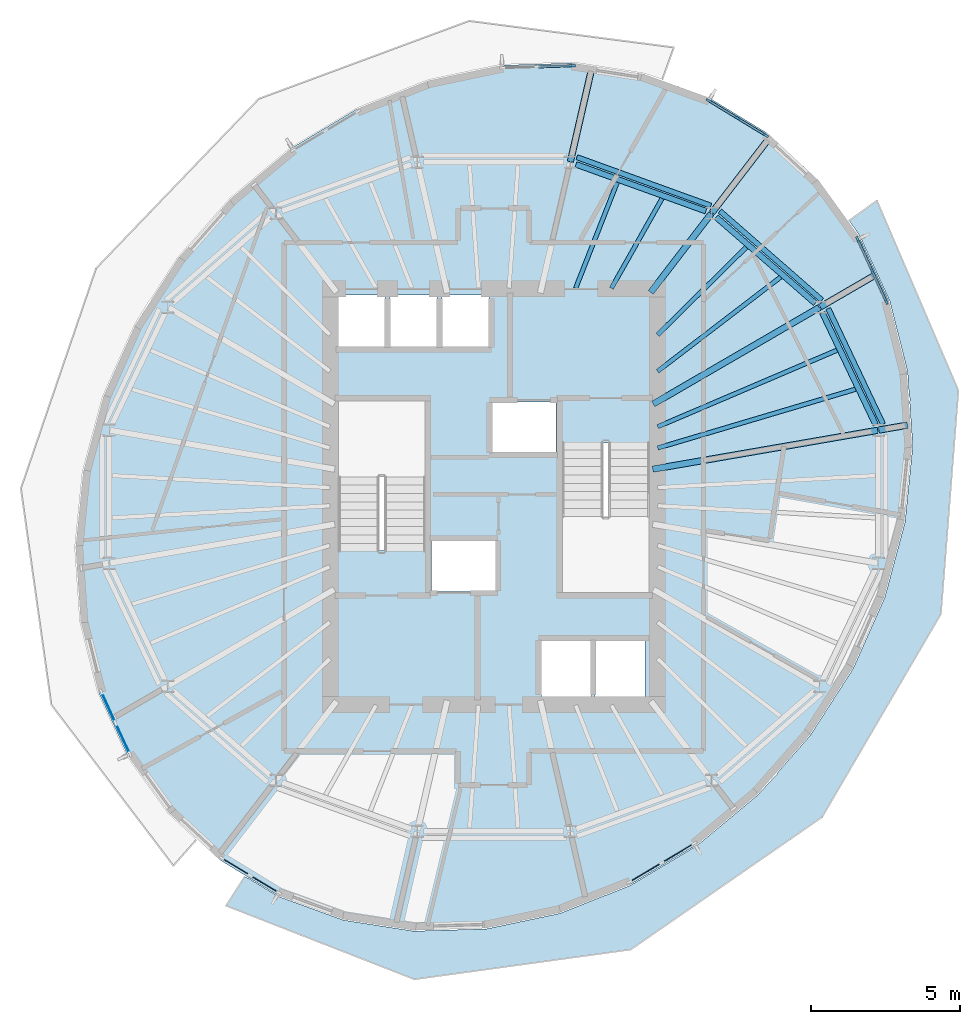
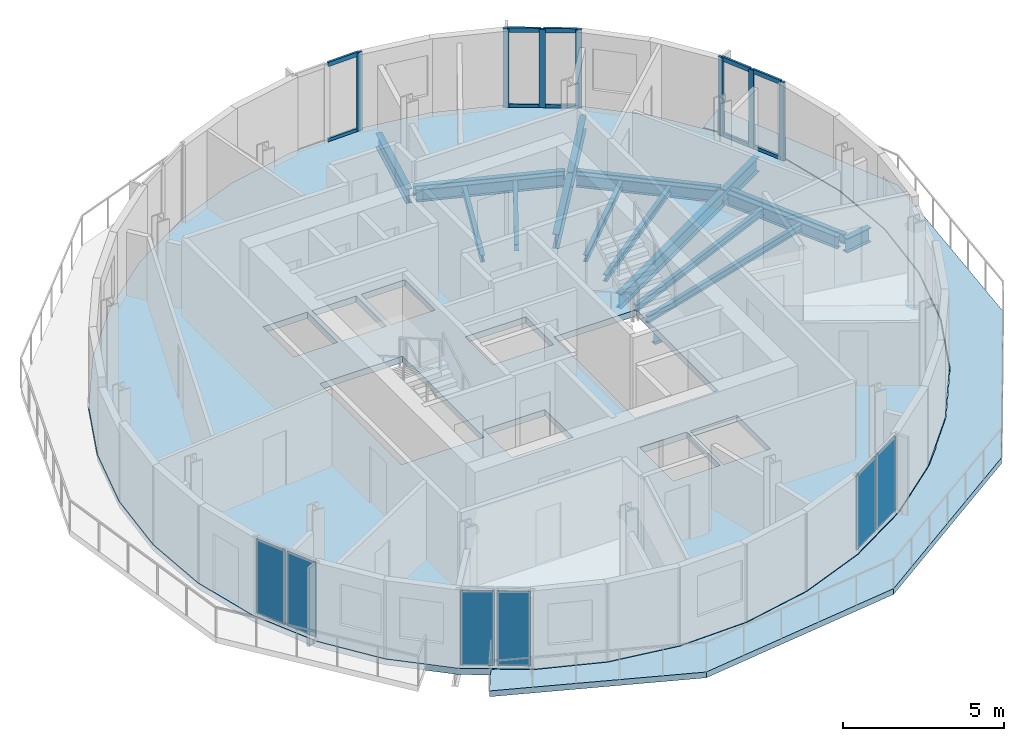
# One storey, part 3 of 11: 19 beams, 17 members, 6 plates, 2 slabs, 6 elements without a shape of their own.
"""IFC4 building model written with IfcOpenShell, lengths in metres."""

from ifc_helpers import new_model, si_unit, direction, frame, origin, origin_2d, place, context, subcontext, project, spatial, polyline, rectangle, i_section, outline, extrude, material, layer, layer_set, material_profile, profile_set, type_object, element, aggregate, save


model = new_model("IFC4")

# Units and contexts
model_context = context("Model", 3, precision=1e-05, world=origin(), true_north=direction((0.0, 1.0)))
body_context = subcontext(model_context, "Body", "Model", "MODEL_VIEW")
ifc_project = project(units=[si_unit("LENGTHUNIT", "METRE"), si_unit("AREAUNIT", "SQUARE_METRE"), si_unit("VOLUMEUNIT", "CUBIC_METRE"), si_unit("PLANEANGLEUNIT", "RADIAN"), si_unit("MASSUNIT", "GRAM", prefix="KILO")], contexts=[model_context])

# Site, building, storey
site_placement = place(None, origin())
site = spatial("IfcSite", under=ifc_project, at=site_placement, CompositionType="ELEMENT")
building_placement = place(site_placement, origin())
building = spatial("IfcBuilding", under=site, at=building_placement, Name="Veldorim Arch Residences", CompositionType="ELEMENT")
storey_placement = place(building_placement, frame((0.0, 0.0, 214.239990234375)))
storey = spatial("IfcBuildingStorey", under=building, at=storey_placement, Name="L64", CompositionType="ELEMENT", Elevation=214.239990234375)

# Beams
ifc_material_1 = material(Name="Steel S355", Category="steel")
ifc_material_profile_1 = material_profile(ifc_material_1, i_section(OverallWidth=0.2119140625, OverallDepth=0.54443359375, WebThickness=0.0126953125, FlangeThickness=0.021240234375, at=origin_2d()), Name="UB533x210x122")
ifc_profile_set_1 = profile_set([ifc_material_profile_1], Name="Steel S355")
beam_type_1 = type_object("IfcBeamType", Name="Structural Steel Beam UB533x210x122", PredefinedType="BEAM", material=ifc_profile_set_1)
beam_1_placement = place(storey_placement, frame((37.352294921875, 24.92578125, -0.51220703125), z_axis=(0.985364974081, 0.170457818401, 0.0), x_axis=(-0.170457818401, 0.985364974081, 0.0)))
element("IfcBeam", 1, at=beam_1_placement, inside=storey, type_object=beam_type_1, Name="L64 radial floor girder 01", PredefinedType="BEAM", context=body_context, shape_type="SweptSolid", body=[
    extrude(i_section(OverallWidth=0.2119140625, OverallDepth=0.54443359375, WebThickness=0.0126953125, FlangeThickness=0.021240234375, at=origin_2d()), origin(), (0.0, 0.0, 1.0), 7.68701171875),
])
beam_2_placement = place(storey_placement, frame((44.966064453125, 26.242919921875, -0.51220703125), z_axis=(0.985356152623, 0.170508804723, 0.0), x_axis=(-0.170508804723, 0.985356152623, 0.0)))
element("IfcBeam", 2, at=beam_2_placement, inside=storey, type_object=beam_type_1, Name="L64 radial edge cantilever girder 01", PredefinedType="BEAM", context=body_context, shape_type="SweptSolid", body=[
    extrude(i_section(OverallWidth=0.2119140625, OverallDepth=0.54443359375, WebThickness=0.0126953125, FlangeThickness=0.021240234375, at=origin_2d()), origin(), (0.0, 0.0, 1.0), 0.97802734375),
])
beam_3_placement = place(storey_placement, frame((37.370361328125, 27.12060546875, -0.51220703125), z_axis=(0.864595736304, 0.502468121142, 0.0), x_axis=(-0.502468121142, 0.864595736304, 0.0)))
element("IfcBeam", 3, at=beam_3_placement, inside=storey, type_object=beam_type_1, Name="L64 radial floor girder 02", PredefinedType="BEAM", context=body_context, shape_type="SweptSolid", body=[
    extrude(i_section(OverallWidth=0.2119140625, OverallDepth=0.54443359375, WebThickness=0.0126953125, FlangeThickness=0.021240234375, at=origin_2d()), origin(), (0.0, 0.0, 1.0), 6.462646484375),
])
beam_4_placement = place(storey_placement, frame((42.99267578125, 30.387939453125, -0.51220703125), z_axis=(0.864602636906, 0.502456247105, 0.0), x_axis=(-0.502456247105, 0.864602636906, 0.0)))
element("IfcBeam", 4, at=beam_4_placement, inside=storey, type_object=beam_type_1, Name="L64 radial edge cantilever girder 02", PredefinedType="BEAM", context=body_context, shape_type="SweptSolid", body=[
    extrude(i_section(OverallWidth=0.2119140625, OverallDepth=0.54443359375, WebThickness=0.0126953125, FlangeThickness=0.021240234375, at=origin_2d()), origin(), (0.0, 0.0, 1.0), 2.09326171875),
])
beam_5_placement = place(storey_placement, frame((37.28662109375, 30.881103515625, -0.51220703125), z_axis=(0.609258442308, 0.792971721108, 0.0), x_axis=(-0.792971721108, 0.609258442308, 0.0)))
element("IfcBeam", 5, at=beam_5_placement, inside=storey, type_object=beam_type_1, Name="L64 radial floor girder 03", PredefinedType="BEAM", context=body_context, shape_type="SweptSolid", body=[
    extrude(i_section(OverallWidth=0.2119140625, OverallDepth=0.54443359375, WebThickness=0.0126953125, FlangeThickness=0.021240234375, at=origin_2d()), origin(), (0.0, 0.0, 1.0), 3.339599609375),
])
beam_6_placement = place(storey_placement, frame((39.345703125, 33.561279296875, -0.51220703125), z_axis=(0.609220133564, 0.793001153126, 0.0), x_axis=(-0.793001153126, 0.609220133564, 0.0)))
element("IfcBeam", 6, at=beam_6_placement, inside=storey, type_object=beam_type_1, Name="L64 radial edge cantilever girder 03", PredefinedType="BEAM", context=body_context, shape_type="SweptSolid", body=[
    extrude(i_section(OverallWidth=0.2119140625, OverallDepth=0.54443359375, WebThickness=0.0126953125, FlangeThickness=0.021240234375, at=origin_2d()), origin(), (0.0, 0.0, 1.0), 3.151123046875),
])
beam_7_placement = place(storey_placement, frame((34.57958984375, 35.27880859375, -0.51220703125), z_axis=(0.22295712551, 0.974828251634, 0.0), x_axis=(-0.974828251634, 0.22295712551, 0.0)))
element("IfcBeam", 7, at=beam_7_placement, inside=storey, type_object=beam_type_1, Name="L64 radial edge cantilever girder 04", PredefinedType="BEAM", context=body_context, shape_type="SweptSolid", body=[
    extrude(i_section(OverallWidth=0.2119140625, OverallDepth=0.54443359375, WebThickness=0.0126953125, FlangeThickness=0.021240234375, at=origin_2d()), origin(), (0.0, 0.0, 1.0), 3.206298828125),
])
ifc_material_2 = material(Name="Steel S355", Category="steel")
ifc_material_profile_2 = material_profile(ifc_material_2, i_section(OverallWidth=0.146484375, OverallDepth=0.256103515625, WebThickness=0.00634765625, FlangeThickness=0.010986328125, at=origin_2d()), Name="UB254x146x37")
ifc_profile_set_2 = profile_set([ifc_material_profile_2], Name="Steel S355")
beam_type_2 = type_object("IfcBeamType", Name="Structural Steel Joist UB254x146x37", PredefinedType="JOIST", material=ifc_profile_set_2)
beam_8_placement = place(storey_placement, frame((37.519287109375, 25.639404296875, -0.367919921875), z_axis=(0.958594432792, 0.284774846889, 0.0), x_axis=(-0.284774846889, 0.958594432792, 0.0)))
element("IfcBeam", 8, at=beam_8_placement, inside=storey, type_object=beam_type_2, Name="L64 secondary radial floor joist 01-1", PredefinedType="JOIST", context=body_context, shape_type="SweptSolid", body=[
    extrude(i_section(OverallWidth=0.146484375, OverallDepth=0.256103515625, WebThickness=0.00634765625, FlangeThickness=0.010986328125, at=origin_2d()), origin(), (0.0, 0.0, 1.0), 6.949462890625),
])
beam_9_placement = place(storey_placement, frame((37.518310546875, 26.355712890625, -0.367919921875), z_axis=(0.919725161652, 0.392562895629, 0.0), x_axis=(-0.392562895629, 0.919725161652, 0.0)))
element("IfcBeam", 9, at=beam_9_placement, inside=storey, type_object=beam_type_2, Name="L64 secondary radial floor joist 01-2", PredefinedType="JOIST", context=body_context, shape_type="SweptSolid", body=[
    extrude(i_section(OverallWidth=0.146484375, OverallDepth=0.256103515625, WebThickness=0.00634765625, FlangeThickness=0.010986328125, at=origin_2d()), origin(), (0.0, 0.0, 1.0), 6.5625),
])
beam_10_placement = place(storey_placement, frame((37.515869140625, 28.222900390625, -0.367919921875), z_axis=(0.794013672216, 0.607899899929, 0.0), x_axis=(-0.607899899929, 0.794013672216, 0.0)))
element("IfcBeam", 10, at=beam_10_placement, inside=storey, type_object=beam_type_2, Name="L64 secondary radial floor joist 02-1", PredefinedType="JOIST", context=body_context, shape_type="SweptSolid", body=[
    extrude(i_section(OverallWidth=0.146484375, OverallDepth=0.256103515625, WebThickness=0.00634765625, FlangeThickness=0.010986328125, at=origin_2d()), origin(), (0.0, 0.0, 1.0), 5.217041015625),
])
beam_11_placement = place(storey_placement, frame((37.51416015625, 29.44775390625, -0.367919921875), z_axis=(0.711396725432, 0.702790650937, 0.0), x_axis=(-0.702790650937, 0.711396725432, 0.0)))
element("IfcBeam", 11, at=beam_11_placement, inside=storey, type_object=beam_type_2, Name="L64 secondary radial floor joist 02-2", PredefinedType="JOIST", context=body_context, shape_type="SweptSolid", body=[
    extrude(i_section(OverallWidth=0.146484375, OverallDepth=0.256103515625, WebThickness=0.00634765625, FlangeThickness=0.010986328125, at=origin_2d()), origin(), (0.0, 0.0, 1.0), 4.198486328125),
])
beam_12_placement = place(storey_placement, frame((35.960205078125, 31.017333984375, -0.367919921875), z_axis=(0.491452469585, 0.870904397818, 0.0), x_axis=(-0.870904397818, 0.491452469585, 0.0)))
element("IfcBeam", 12, at=beam_12_placement, inside=storey, type_object=beam_type_2, Name="L64 secondary radial floor joist 03-1", PredefinedType="JOIST", context=body_context, shape_type="SweptSolid", body=[
    extrude(i_section(OverallWidth=0.146484375, OverallDepth=0.256103515625, WebThickness=0.00634765625, FlangeThickness=0.010986328125, at=origin_2d()), origin(), (0.0, 0.0, 1.0), 3.472412109375),
])
beam_13_placement = place(storey_placement, frame((34.75634765625, 31.0185546875, -0.367919921875), z_axis=(0.365581383042, 0.930779379001, 0.0), x_axis=(-0.930779379001, 0.365581383042, 0.0)))
element("IfcBeam", 13, at=beam_13_placement, inside=storey, type_object=beam_type_2, Name="L64 secondary radial floor joist 03-2", PredefinedType="JOIST", context=body_context, shape_type="SweptSolid", body=[
    extrude(i_section(OverallWidth=0.146484375, OverallDepth=0.256103515625, WebThickness=0.00634765625, FlangeThickness=0.010986328125, at=origin_2d()), origin(), (0.0, 0.0, 1.0), 3.83056640625),
])
ifc_material_3 = material(Name="Steel S355", Category="steel")
ifc_material_profile_3 = material_profile(ifc_material_3, i_section(OverallWidth=0.172119140625, OverallDepth=0.35791015625, WebThickness=0.008056640625, FlangeThickness=0.012939453125, at=origin_2d()), Name="UB356x171x57")
ifc_profile_set_3 = profile_set([ifc_material_profile_3], Name="Steel S355")
beam_type_3 = type_object("IfcBeamType", Name="Structural Steel Spandrel UB356x171x57", PredefinedType="SPANDREL", material=ifc_profile_set_3)
beam_14_placement = place(storey_placement, frame((45.106201171875, 26.4423828125, -0.43896484375), z_axis=(-0.428468601304, 0.903556670994, 0.0), x_axis=(-0.903556670994, -0.428468601304, 0.0)))
element("IfcBeam", 14, at=beam_14_placement, inside=storey, type_object=beam_type_3, Name="L64 perimeter chord spandrel beam 01", PredefinedType="SPANDREL", context=body_context, shape_type="SweptSolid", body=[
    extrude(i_section(OverallWidth=0.172119140625, OverallDepth=0.35791015625, WebThickness=0.008056640625, FlangeThickness=0.012939453125, at=origin_2d()), origin(), (0.0, 0.0, 1.0), 4.31005859375),
])
beam_15_placement = place(storey_placement, frame((43.048095703125, 30.6162109375, -0.43896484375), z_axis=(-0.752868439096, 0.658171036596, 0.0), x_axis=(-0.658171036596, -0.752868439096, 0.0)))
element("IfcBeam", 15, at=beam_15_placement, inside=storey, type_object=beam_type_3, Name="L64 perimeter chord spandrel beam 02", PredefinedType="SPANDREL", context=body_context, shape_type="SweptSolid", body=[
    extrude(i_section(OverallWidth=0.172119140625, OverallDepth=0.35791015625, WebThickness=0.008056640625, FlangeThickness=0.012939453125, at=origin_2d()), origin(), (0.0, 0.0, 1.0), 4.560791015625),
])
beam_16_placement = place(storey_placement, frame((39.311279296875, 33.796630859375, -0.43896484375), z_axis=(-0.940178823137, 0.340681347486, 0.0), x_axis=(-0.340681347486, -0.940178823137, 0.0)))
element("IfcBeam", 16, at=beam_16_placement, inside=storey, type_object=beam_type_3, Name="L64 perimeter chord spandrel beam 03", PredefinedType="SPANDREL", context=body_context, shape_type="SweptSolid", body=[
    extrude(i_section(OverallWidth=0.172119140625, OverallDepth=0.35791015625, WebThickness=0.008056640625, FlangeThickness=0.012939453125, at=origin_2d()), origin(), (0.0, 0.0, 1.0), 4.80126953125),
])
ifc_material_4 = material(Name="Steel S355", Category="steel")
ifc_material_profile_4 = material_profile(ifc_material_4, i_section(OverallWidth=0.19140625, OverallDepth=0.4599609375, WebThickness=0.010009765625, FlangeThickness=0.01611328125, at=origin_2d()), Name="UB457x191x82")
ifc_profile_set_4 = profile_set([ifc_material_profile_4], Name="Steel S355")
beam_type_4 = type_object("IfcBeamType", Name="Structural Steel Spandrel UB457x191x82", PredefinedType="SPANDREL", material=ifc_profile_set_4)
beam_17_placement = place(storey_placement, frame((44.85888671875, 26.42333984375, -0.469970703125), z_axis=(-0.429992574394, 0.902832424078, 0.0), x_axis=(-0.902832424078, -0.429992574394, 0.0)))
element("IfcBeam", 17, at=beam_17_placement, inside=storey, type_object=beam_type_4, Name="L64 perimeter ring tie beam 01", PredefinedType="SPANDREL", context=body_context, shape_type="SweptSolid", body=[
    extrude(i_section(OverallWidth=0.19140625, OverallDepth=0.4599609375, WebThickness=0.010009765625, FlangeThickness=0.01611328125, at=origin_2d()), origin(), (0.0, 0.0, 1.0), 4.176513671875),
])
beam_18_placement = place(storey_placement, frame((42.82177734375, 30.511474609375, -0.469970703125), z_axis=(-0.754534162517, 0.656260769508, 0.0), x_axis=(-0.656260769508, -0.754534162517, 0.0)))
element("IfcBeam", 18, at=beam_18_placement, inside=storey, type_object=beam_type_4, Name="L64 perimeter ring tie beam 02", PredefinedType="SPANDREL", context=body_context, shape_type="SweptSolid", body=[
    extrude(i_section(OverallWidth=0.19140625, OverallDepth=0.4599609375, WebThickness=0.010009765625, FlangeThickness=0.01611328125, at=origin_2d()), origin(), (0.0, 0.0, 1.0), 4.419677734375),
])
beam_19_placement = place(storey_placement, frame((39.14208984375, 33.6142578125, -0.469970703125), z_axis=(-0.940819134121, 0.338909068736, 0.0), x_axis=(-0.338909068736, -0.940819134121, 0.0)))
element("IfcBeam", 19, at=beam_19_placement, inside=storey, type_object=beam_type_4, Name="L64 perimeter ring tie beam 03", PredefinedType="SPANDREL", context=body_context, shape_type="SweptSolid", body=[
    extrude(i_section(OverallWidth=0.19140625, OverallDepth=0.4599609375, WebThickness=0.010009765625, FlangeThickness=0.01611328125, at=origin_2d()), origin(), (0.0, 0.0, 1.0), 4.650634765625),
])

# Curtain wall, members
ifc_material_5 = material(Name="Aluminium", Category="aluminium")
curtain_wall_type = type_object("IfcCurtainWallType", Name="Zone 4 High-Altitude Unitised Curtain Wall", PredefinedType="NOTDEFINED", material=ifc_material_5)
curtain_wall_1_placement = place(storey_placement, origin())
curtain_wall_1 = element("IfcCurtainWall", 20, at=curtain_wall_1_placement, inside=storey, type_object=curtain_wall_type, Name="L64 unitised curtain wall bay 01", PredefinedType="NOTDEFINED")
ifc_material_6 = material(Name="Aluminium", Category="aluminium")
ifc_material_profile_5 = material_profile(ifc_material_6, rectangle(XDim=0.074951171875, YDim=0.195068359375, at=origin_2d()), Name="ALU_MUL_75x195")
ifc_profile_set_5 = profile_set([ifc_material_profile_5], Name="Aluminium")
member_type_1 = type_object("IfcMemberType", Name="Zone 4 High-Altitude Unitised Curtain Wall Mullion 75x195", PredefinedType="MULLION", material=ifc_profile_set_5)
member_1_placement = place(storey_placement, frame((39.236572265625, 37.334716796875, 0.0), z_axis=(0.0, 0.0, 1.0), x_axis=(0.520032918989, 0.854146218846, 0.0)))
member_1 = element("IfcMember", 21, at=member_1_placement, type_object=member_type_1, Name="CW-Z4 mullion 1", PredefinedType="MULLION", context=body_context, shape_type="SweptSolid", body=[
    extrude(rectangle(XDim=0.074951171875, YDim=0.195068359375, at=origin_2d()), origin(), (0.0, 0.0, 1.0), 2.9599609375),
])
member_2_placement = place(storey_placement, frame((40.197265625, 36.749755859375, 0.0), z_axis=(0.0, 0.0, 1.0), x_axis=(0.520032918989, 0.854146218846, 0.0)))
member_2 = element("IfcMember", 22, at=member_2_placement, type_object=member_type_1, Name="CW-Z4 mullion 2", PredefinedType="MULLION", context=body_context, shape_type="SweptSolid", body=[
    extrude(rectangle(XDim=0.074951171875, YDim=0.195068359375, at=origin_2d()), origin(), (0.0, 0.0, 1.0), 2.9599609375),
])
member_3_placement = place(storey_placement, frame((41.157958984375, 36.164794921875, 0.0), z_axis=(0.0, 0.0, 1.0), x_axis=(0.520032918989, 0.854146218846, 0.0)))
member_3 = element("IfcMember", 23, at=member_3_placement, type_object=member_type_1, Name="CW-Z4 mullion 3", PredefinedType="MULLION", context=body_context, shape_type="SweptSolid", body=[
    extrude(rectangle(XDim=0.074951171875, YDim=0.195068359375, at=origin_2d()), origin(), (0.0, 0.0, 1.0), 2.9599609375),
])

# Curtain wall, member
curtain_wall_2_placement = place(storey_placement, origin())
curtain_wall_2 = element("IfcCurtainWall", 24, at=curtain_wall_2_placement, inside=storey, type_object=curtain_wall_type, Name="L64 unitised curtain wall bay 04", PredefinedType="NOTDEFINED")
member_4_placement = place(storey_placement, frame((34.6513671875, 38.509033203125, 0.0), z_axis=(0.0, 0.0, 1.0), x_axis=(-0.030834608084, 0.999524500422, 0.0)))
member_4 = element("IfcMember", 25, at=member_4_placement, type_object=member_type_1, Name="CW-Z4 mullion 3", PredefinedType="MULLION", context=body_context, shape_type="SweptSolid", body=[
    extrude(rectangle(XDim=0.074951171875, YDim=0.195068359375, at=origin_2d()), origin(), (0.0, 0.0, 1.0), 2.9599609375),
])

# Curtain wall, members
curtain_wall_3_placement = place(storey_placement, origin())
curtain_wall_3 = element("IfcCurtainWall", 26, at=curtain_wall_3_placement, inside=storey, type_object=curtain_wall_type, Name="L64 unitised curtain wall bay 34", PredefinedType="NOTDEFINED")
member_5_placement = place(storey_placement, frame((44.248291015625, 32.666748046875, 0.0), z_axis=(0.0, 0.0, 1.0), x_axis=(0.908400123828, 0.418101919427, 0.0)))
member_5 = element("IfcMember", 27, at=member_5_placement, type_object=member_type_1, Name="CW-Z4 mullion 1", PredefinedType="MULLION", context=body_context, shape_type="SweptSolid", body=[
    extrude(rectangle(XDim=0.074951171875, YDim=0.195068359375, at=origin_2d()), origin(), (0.0, 0.0, 1.0), 2.9599609375),
])
member_6_placement = place(storey_placement, frame((44.731689453125, 31.6162109375, 0.0), z_axis=(0.0, 0.0, 1.0), x_axis=(0.908400123828, 0.418101919427, 0.0)))
member_6 = element("IfcMember", 28, at=member_6_placement, type_object=member_type_1, Name="CW-Z4 mullion 2", PredefinedType="MULLION", context=body_context, shape_type="SweptSolid", body=[
    extrude(rectangle(XDim=0.074951171875, YDim=0.195068359375, at=origin_2d()), origin(), (0.0, 0.0, 1.0), 2.9599609375),
])
member_7_placement = place(storey_placement, frame((45.21533203125, 30.565673828125, 0.0), z_axis=(0.0, 0.0, 1.0), x_axis=(0.908400123828, 0.418101919427, 0.0)))
member_7 = element("IfcMember", 29, at=member_7_placement, type_object=member_type_1, Name="CW-Z4 mullion 3", PredefinedType="MULLION", context=body_context, shape_type="SweptSolid", body=[
    extrude(rectangle(XDim=0.074951171875, YDim=0.195068359375, at=origin_2d()), origin(), (0.0, 0.0, 1.0), 2.9599609375),
])

# Member
ifc_material_7 = material(Name="Aluminium", Category="aluminium")
ifc_material_profile_6 = material_profile(ifc_material_7, rectangle(XDim=0.074951171875, YDim=0.1650390625, at=origin_2d()), Name="ALU_TRN_75x165")
ifc_profile_set_6 = profile_set([ifc_material_profile_6], Name="Aluminium")
member_type_2 = type_object("IfcMemberType", Name="Zone 4 High-Altitude Unitised Curtain Wall Transom 75x165", PredefinedType="USERDEFINED", material=ifc_profile_set_6)
member_8_placement = place(storey_placement, frame((39.2685546875, 37.315185546875, 0.03759765625), z_axis=(0.854171610256, -0.519991211688, 0.0), x_axis=(0.519991211688, 0.854171610256, 0.0)))
member_8 = element("IfcMember", 30, at=member_8_placement, type_object=member_type_2, Name="CW-Z4 transom 1.1", ObjectType="TRANSOM", PredefinedType="USERDEFINED", context=body_context, shape_type="SweptSolid", body=[
    extrude(rectangle(XDim=0.074951171875, YDim=0.1650390625, at=origin_2d()), origin(), (0.0, 0.0, 1.0), 1.0498046875),
])

member_9_placement = place(storey_placement, frame((39.2685546875, 37.315185546875, 2.922607421875), z_axis=(0.854171610256, -0.519991211688, 0.0), x_axis=(0.519991211688, 0.854171610256, 0.0)))
member_9 = element("IfcMember", 31, at=member_9_placement, type_object=member_type_2, Name="CW-Z4 transom 1.2", ObjectType="TRANSOM", PredefinedType="USERDEFINED", context=body_context, shape_type="SweptSolid", body=[
    extrude(rectangle(XDim=0.074951171875, YDim=0.1650390625, at=origin_2d()), origin(), (0.0, 0.0, 1.0), 1.0498046875),
])

member_10_placement = place(storey_placement, frame((40.229248046875, 36.730224609375, 0.03759765625), z_axis=(0.854171610256, -0.519991211688, 0.0), x_axis=(0.519991211688, 0.854171610256, 0.0)))
member_10 = element("IfcMember", 32, at=member_10_placement, type_object=member_type_2, Name="CW-Z4 transom 2.1", ObjectType="TRANSOM", PredefinedType="USERDEFINED", context=body_context, shape_type="SweptSolid", body=[
    extrude(rectangle(XDim=0.074951171875, YDim=0.1650390625, at=origin_2d()), origin(), (0.0, 0.0, 1.0), 1.0498046875),
])

member_11_placement = place(storey_placement, frame((40.229248046875, 36.730224609375, 2.922607421875), z_axis=(0.854171610256, -0.519991211688, 0.0), x_axis=(0.519991211688, 0.854171610256, 0.0)))
member_11 = element("IfcMember", 33, at=member_11_placement, type_object=member_type_2, Name="CW-Z4 transom 2.2", ObjectType="TRANSOM", PredefinedType="USERDEFINED", context=body_context, shape_type="SweptSolid", body=[
    extrude(rectangle(XDim=0.074951171875, YDim=0.1650390625, at=origin_2d()), origin(), (0.0, 0.0, 1.0), 1.0498046875),
])

aggregate(curtain_wall_1, [member_1, member_2, member_3, member_8, member_9, member_10, member_11])

member_12_placement = place(storey_placement, frame((33.505859375, 38.473876953125, 0.03759765625), z_axis=(0.999524669181, 0.030829137186, 0.0), x_axis=(-0.030829137186, 0.999524669181, 0.0)))
member_12 = element("IfcMember", 34, at=member_12_placement, type_object=member_type_2, Name="CW-Z4 transom 2.1", ObjectType="TRANSOM", PredefinedType="USERDEFINED", context=body_context, shape_type="SweptSolid", body=[
    extrude(rectangle(XDim=0.074951171875, YDim=0.1650390625, at=origin_2d()), origin(), (0.0, 0.0, 1.0), 1.108642578125),
])

member_13_placement = place(storey_placement, frame((33.505859375, 38.473876953125, 2.922607421875), z_axis=(0.999524669181, 0.030829137186, 0.0), x_axis=(-0.030829137186, 0.999524669181, 0.0)))
member_13 = element("IfcMember", 35, at=member_13_placement, type_object=member_type_2, Name="CW-Z4 transom 2.2", ObjectType="TRANSOM", PredefinedType="USERDEFINED", context=body_context, shape_type="SweptSolid", body=[
    extrude(rectangle(XDim=0.074951171875, YDim=0.1650390625, at=origin_2d()), origin(), (0.0, 0.0, 1.0), 1.108642578125),
])

aggregate(curtain_wall_2, [member_4, member_12, member_13])

member_14_placement = place(storey_placement, frame((44.263916015625, 32.632568359375, 0.03759765625), z_axis=(0.418084469108, -0.908408155341, 0.0), x_axis=(0.908408155341, 0.418084469108, 0.0)))
member_14 = element("IfcMember", 36, at=member_14_placement, type_object=member_type_2, Name="CW-Z4 transom 1.1", ObjectType="TRANSOM", PredefinedType="USERDEFINED", context=body_context, shape_type="SweptSolid", body=[
    extrude(rectangle(XDim=0.074951171875, YDim=0.1650390625, at=origin_2d()), origin(), (0.0, 0.0, 1.0), 1.08154296875),
])

member_15_placement = place(storey_placement, frame((44.263916015625, 32.632568359375, 2.922607421875), z_axis=(0.418084469108, -0.908408155341, 0.0), x_axis=(0.908408155341, 0.418084469108, 0.0)))
member_15 = element("IfcMember", 37, at=member_15_placement, type_object=member_type_2, Name="CW-Z4 transom 1.2", ObjectType="TRANSOM", PredefinedType="USERDEFINED", context=body_context, shape_type="SweptSolid", body=[
    extrude(rectangle(XDim=0.074951171875, YDim=0.1650390625, at=origin_2d()), origin(), (0.0, 0.0, 1.0), 1.08154296875),
])

member_16_placement = place(storey_placement, frame((44.747314453125, 31.58203125, 0.03759765625), z_axis=(0.418084469108, -0.908408155341, 0.0), x_axis=(0.908408155341, 0.418084469108, 0.0)))
member_16 = element("IfcMember", 38, at=member_16_placement, type_object=member_type_2, Name="CW-Z4 transom 2.1", ObjectType="TRANSOM", PredefinedType="USERDEFINED", context=body_context, shape_type="SweptSolid", body=[
    extrude(rectangle(XDim=0.074951171875, YDim=0.1650390625, at=origin_2d()), origin(), (0.0, 0.0, 1.0), 1.08154296875),
])

member_17_placement = place(storey_placement, frame((44.747314453125, 31.58203125, 2.922607421875), z_axis=(0.418084469108, -0.908408155341, 0.0), x_axis=(0.908408155341, 0.418084469108, 0.0)))
member_17 = element("IfcMember", 39, at=member_17_placement, type_object=member_type_2, Name="CW-Z4 transom 2.2", ObjectType="TRANSOM", PredefinedType="USERDEFINED", context=body_context, shape_type="SweptSolid", body=[
    extrude(rectangle(XDim=0.074951171875, YDim=0.1650390625, at=origin_2d()), origin(), (0.0, 0.0, 1.0), 1.08154296875),
])

aggregate(curtain_wall_3, [member_5, member_6, member_7, member_14, member_15, member_16, member_17])

# Slabs
ifc_material_8 = material(Name="Concrete C40/50", Category="concrete")
ifc_layer_1 = layer(ifc_material_8, 0.219970703125, Name="Planted Crescent Cantilever Balcony Slab 220")
ifc_layer_set_1 = layer_set([ifc_layer_1], Name="Concrete C40/50")
slab_type_1 = type_object("IfcSlabType", Name="Planted Crescent Cantilever Balcony Slab 220", PredefinedType="FLOOR", material=ifc_layer_set_1)
slab_1_placement = place(storey_placement, frame((0.0, 0.0, -0.219970703125)))
element("IfcSlab", 40, at=slab_1_placement, inside=storey, type_object=slab_type_1, Name="L64 planted crescent balcony slab B", PredefinedType="FLOOR", context=body_context, shape_type="SweptSolid", body=[
    extrude(outline(polyline([(23.731201171875, 11.1591796875), (24.73779296875, 10.54638671875), (26.948486328125, 9.743896484375), (29.312255859375, 9.37451171875), (31.7578125, 9.4501953125), (34.210205078125, 9.967529296875), (36.595703125, 10.911376953125), (38.841064453125, 12.252685546875), (40.878662109375, 13.95068359375), (41.530517578125, 14.65625), (41.59375, 14.760986328125), (42.646484375, 15.953857421875), (44.09130859375, 18.201416015625), (45.168701171875, 20.625244140625), (45.84619140625, 23.151611328125), (46.102783203125, 25.703857421875), (46.001220703125, 27.1865234375), (46.017578125, 27.311767578125), (45.986328125, 27.40283203125), (45.931396484375, 28.204345703125), (45.33642578125, 30.577392578125), (44.3359375, 32.751220703125), (43.966796875, 33.300048828125), (44.900390625, 33.97119140625), (47.643310546875, 27.57861328125), (47.053466796875, 20.04638671875), (43.05419921875, 13.211181640625), (36.615234375, 8.75341796875), (29.326904296875, 7.751708984375), (22.98486328125, 10.2294921875), (23.605712890625, 11.197509765625), (23.731201171875, 11.1591796875)])), origin(), (0.0, 0.0, 1.0), 0.219970703125),
])
ifc_material_9 = material(Name="Concrete C40/50", Category="concrete")
ifc_layer_2 = layer(ifc_material_9, 0.239990234375, Name="Typical Residential Floor Slab 240")
ifc_layer_set_2 = layer_set([ifc_layer_2], Name="Concrete C40/50")
slab_type_2 = type_object("IfcSlabType", Name="Typical Residential Floor Slab 240", PredefinedType="FLOOR", material=ifc_layer_set_2)
slab_2_placement = place(storey_placement, frame((0.0, 0.0, -0.239990234375)))
element("IfcSlab", 41, at=slab_2_placement, inside=storey, type_object=slab_type_2, Name="L64 tower structural floor slab", PredefinedType="FLOOR", context=body_context, shape_type="SweptSolid", body=[
    extrude(outline(polyline([(41.23681640625, 36.22216796875), (39.251220703125, 37.43115234375), (37.04541015625, 38.23193359375), (34.68603515625, 38.600341796875), (32.2451171875, 38.52490234375), (29.796875, 38.00830078125), (27.41552734375, 37.066162109375), (25.17333984375, 35.726806640625), (23.138916015625, 34.031494140625), (21.373291015625, 32.031005859375), (19.930908203125, 29.78662109375), (18.85498046875, 27.366455078125), (18.1787109375, 24.843994140625), (17.922119140625, 22.2958984375), (18.093505859375, 19.799560546875), (18.687255859375, 17.430908203125), (19.685791015625, 15.26171875), (21.05810546875, 13.35791015625), (22.76318359375, 11.77783203125), (24.748779296875, 10.56884765625), (26.95458984375, 9.76806640625), (29.31396484375, 9.399658203125), (31.7548828125, 9.47509765625), (34.203125, 9.99169921875), (36.58447265625, 10.933837890625), (38.82666015625, 12.273193359375), (40.861083984375, 13.968505859375), (42.626708984375, 15.968994140625), (44.069091796875, 18.21337890625), (45.14501953125, 20.633544921875), (45.8212890625, 23.156005859375), (46.077880859375, 25.7041015625), (45.906494140625, 28.200439453125), (45.312744140625, 30.569091796875), (44.314208984375, 32.73828125), (42.94189453125, 34.64208984375), (41.23681640625, 36.22216796875)]), holes=[polyline([(33.610107421875, 17.2099609375), (33.610107421875, 19.2900390625), (35.2900390625, 19.2900390625), (35.2900390625, 17.2099609375), (33.610107421875, 17.2099609375)]), polyline([(35.409912109375, 17.2099609375), (35.409912109375, 19.2900390625), (37.090087890625, 19.2900390625), (37.090087890625, 17.2099609375), (35.409912109375, 17.2099609375)]), polyline([(29.909912109375, 20.81494140625), (29.909912109375, 22.544921875), (32.090087890625, 22.544921875), (32.090087890625, 20.81494140625), (29.909912109375, 20.81494140625)]), polyline([(34.2900390625, 20.75), (34.2900390625, 25.804931640625), (37.25, 25.804931640625), (37.25, 20.75), (34.2900390625, 20.75)]), polyline([(26.75, 22.195068359375), (26.75, 27.25), (29.7099609375, 27.25), (29.7099609375, 22.195068359375), (26.75, 22.195068359375)]), polyline([(31.909912109375, 25.455078125), (31.909912109375, 27.18505859375), (34.090087890625, 27.18505859375), (34.090087890625, 25.455078125), (31.909912109375, 25.455078125)]), polyline([(26.760009765625, 28.909912109375), (26.760009765625, 30.7900390625), (28.340087890625, 30.7900390625), (28.340087890625, 28.909912109375), (26.760009765625, 28.909912109375)]), polyline([(28.510009765625, 30.7900390625), (30.090087890625, 30.7900390625), (30.090087890625, 28.909912109375), (28.510009765625, 28.909912109375), (28.510009765625, 30.7900390625)]), polyline([(30.260009765625, 30.7900390625), (31.840087890625, 30.7900390625), (31.840087890625, 28.909912109375), (30.260009765625, 28.909912109375), (30.260009765625, 30.7900390625)])]), origin(), (0.0, 0.0, 1.0), 0.239990234375),
])

# Curtain wall, plates
curtain_wall_4_placement = place(storey_placement, origin())
curtain_wall_4 = element("IfcCurtainWall", 42, at=curtain_wall_4_placement, inside=storey, type_object=curtain_wall_type, Name="L64 unitised curtain wall bay 16", PredefinedType="NOTDEFINED")
ifc_material_10 = material(Name="Laminated Low-E Glass", Category="glass")
ifc_layer_3 = layer(ifc_material_10, 0.030029296875, Name="Zone 4 High-Altitude Unitised Curtain Wall Glazing Panel 30")
ifc_layer_set_3 = layer_set([ifc_layer_3], Name="Laminated Low-E Glass")
plate_type = type_object("IfcPlateType", Name="Zone 4 High-Altitude Unitised Curtain Wall Glazing Panel 30", PredefinedType="CURTAIN_PANEL", material=ifc_layer_set_3)
plate_1_placement = place(storey_placement, frame((19.510009765625, 15.858642578125, 0.074951171875), z_axis=(0.0, 0.0, 1.0), x_axis=(-0.418101919427, 0.908400123828, 0.0)))
plate_1 = element("IfcPlate", 43, at=plate_1_placement, type_object=plate_type, Name="CW-Z4 panel 1.1", PredefinedType="CURTAIN_PANEL", context=body_context, shape_type="SweptSolid", body=[
    extrude(rectangle(XDim=1.08154296875, YDim=0.030029296875, at=origin_2d()), origin(), (0.0, 0.0, 1.0), 2.81005859375),
])
plate_2_placement = place(storey_placement, frame((19.026611328125, 16.9091796875, 0.074951171875), z_axis=(0.0, 0.0, 1.0), x_axis=(-0.418101919427, 0.908400123828, 0.0)))
plate_2 = element("IfcPlate", 44, at=plate_2_placement, type_object=plate_type, Name="CW-Z4 panel 2.1", PredefinedType="CURTAIN_PANEL", context=body_context, shape_type="SweptSolid", body=[
    extrude(rectangle(XDim=1.08154296875, YDim=0.030029296875, at=origin_2d()), origin(), (0.0, 0.0, 1.0), 2.81005859375),
])
aggregate(curtain_wall_4, [plate_1, plate_2])

curtain_wall_5_placement = place(storey_placement, origin())
curtain_wall_5 = element("IfcCurtainWall", 45, at=curtain_wall_5_placement, inside=storey, type_object=curtain_wall_type, Name="L64 unitised curtain wall bay 19", PredefinedType="NOTDEFINED")
plate_3_placement = place(storey_placement, frame((24.283203125, 10.957763671875, 0.074951171875), z_axis=(0.0, 0.0, 1.0), x_axis=(-0.854146218846, 0.520032918989, 0.0)))
plate_3 = element("IfcPlate", 46, at=plate_3_placement, type_object=plate_type, Name="CW-Z4 panel 1.1", PredefinedType="CURTAIN_PANEL", context=body_context, shape_type="SweptSolid", body=[
    extrude(rectangle(XDim=1.0498046875, YDim=0.030029296875, at=origin_2d()), origin(), (0.0, 0.0, 1.0), 2.81005859375),
])
plate_4_placement = place(storey_placement, frame((23.322265625, 11.542724609375, 0.074951171875), z_axis=(0.0, 0.0, 1.0), x_axis=(-0.854146218846, 0.520032918989, 0.0)))
plate_4 = element("IfcPlate", 47, at=plate_4_placement, type_object=plate_type, Name="CW-Z4 panel 2.1", PredefinedType="CURTAIN_PANEL", context=body_context, shape_type="SweptSolid", body=[
    extrude(rectangle(XDim=1.0498046875, YDim=0.030029296875, at=origin_2d()), origin(), (0.0, 0.0, 1.0), 2.81005859375),
])
aggregate(curtain_wall_5, [plate_3, plate_4])

curtain_wall_6_placement = place(storey_placement, origin())
curtain_wall_6 = element("IfcCurtainWall", 48, at=curtain_wall_6_placement, inside=storey, type_object=curtain_wall_type, Name="L64 unitised curtain wall bay 25", PredefinedType="NOTDEFINED")
plate_5_placement = place(storey_placement, frame((38.203857421875, 12.005859375, 0.074951171875), z_axis=(0.0, 0.0, 1.0), x_axis=(-0.85849808331, -0.512816771325, 0.0)))
plate_5 = element("IfcPlate", 49, at=plate_5_placement, type_object=plate_type, Name="CW-Z4 panel 1.1", PredefinedType="CURTAIN_PANEL", context=body_context, shape_type="SweptSolid", body=[
    extrude(rectangle(XDim=1.193359375, YDim=0.030029296875, at=origin_2d()), origin(), (0.0, 0.0, 1.0), 2.81005859375),
])
plate_6_placement = place(storey_placement, frame((37.114990234375, 11.35546875, 0.074951171875), z_axis=(0.0, 0.0, 1.0), x_axis=(-0.85849808331, -0.512816771325, 0.0)))
plate_6 = element("IfcPlate", 50, at=plate_6_placement, type_object=plate_type, Name="CW-Z4 panel 2.1", PredefinedType="CURTAIN_PANEL", context=body_context, shape_type="SweptSolid", body=[
    extrude(rectangle(XDim=1.193359375, YDim=0.030029296875, at=origin_2d()), origin(), (0.0, 0.0, 1.0), 2.81005859375),
])
aggregate(curtain_wall_6, [plate_5, plate_6])

save(model, "model.ifc")
